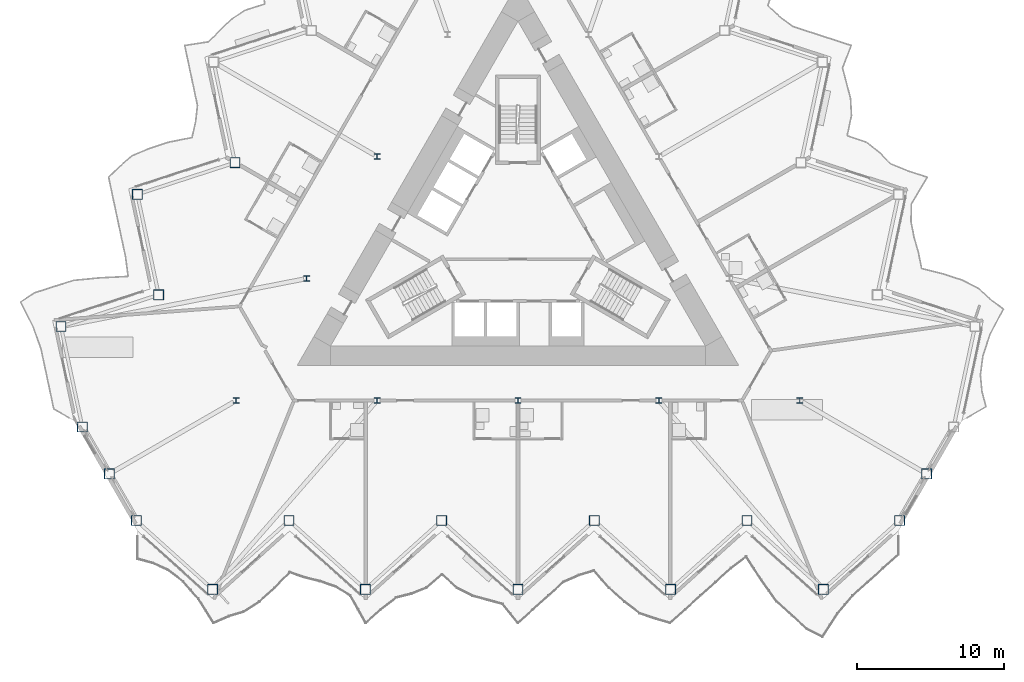
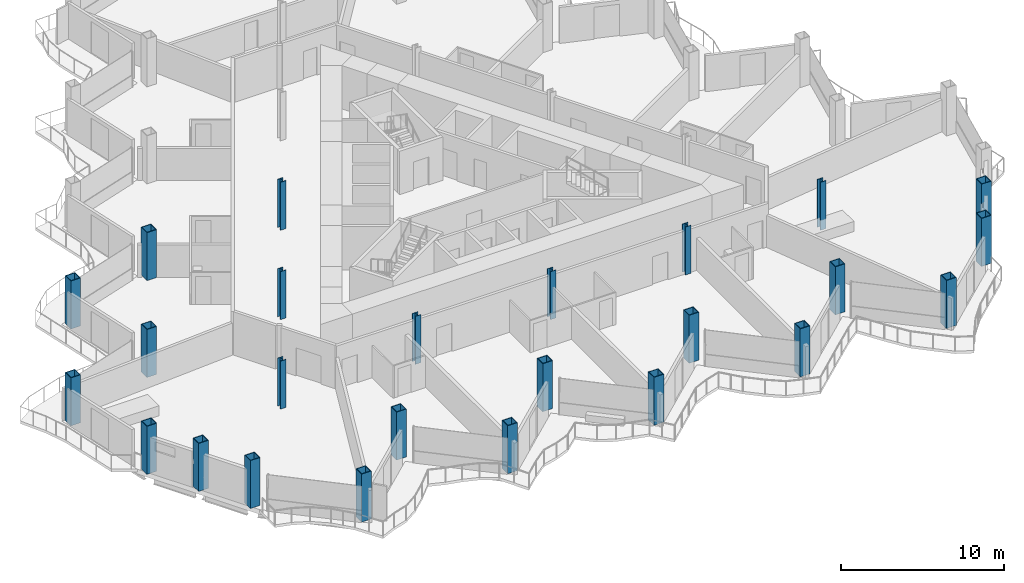
# One storey, part 1 of 24: 25 columns.
"""IFC4 building model written with IfcOpenShell, lengths in metres."""

from ifc_helpers import new_model, si_unit, direction, frame, origin, origin_2d, place, context, subcontext, project, spatial, hollow_rectangle, i_section, extrude, material, material_profile, profile_set, type_object, element, save


model = new_model("IFC4")

# Units and contexts
model_context = context("Model", 3, precision=1e-05, world=origin(), true_north=direction((0.0, 1.0)))
body_context = subcontext(model_context, "Body", "Model", "MODEL_VIEW")
ifc_project = project(units=[si_unit("LENGTHUNIT", "METRE"), si_unit("AREAUNIT", "SQUARE_METRE"), si_unit("VOLUMEUNIT", "CUBIC_METRE"), si_unit("PLANEANGLEUNIT", "RADIAN"), si_unit("MASSUNIT", "GRAM", prefix="KILO")], contexts=[model_context])

# Site, building, storey
site_placement = place(None, origin())
site = spatial("IfcSite", under=ifc_project, at=site_placement, CompositionType="ELEMENT")
building_placement = place(site_placement, origin())
building = spatial("IfcBuilding", under=site, at=building_placement, Name="Cormorant Prow Tower", CompositionType="ELEMENT")
storey_placement = place(building_placement, frame((0.0, 0.0, 238.199951171875)))
storey = spatial("IfcBuildingStorey", under=building, at=storey_placement, Name="L52", CompositionType="ELEMENT", Elevation=238.199951171875)

# Columns
ifc_material_1 = material(Name="Structural steel ASTM A572 Gr 50", Category="steel")
ifc_material_profile_1 = material_profile(ifc_material_1, hollow_rectangle(XDim=0.699951171875, YDim=0.699951171875, WallThickness=0.044921875, at=origin_2d()), Name="Box 700x700x45")
ifc_profile_set_1 = profile_set([ifc_material_profile_1], Name="Structural steel ASTM A572 Gr 50")
column_type_1 = type_object("IfcColumnType", Name="Perimeter box column 700x700x45", PredefinedType="COLUMN", material=ifc_profile_set_1)
for number, where, z_axis, x_axis, name in (
    (1, (-25.941162109375, -19.21533203125, 0.0), (0.0, 0.0, 1.0), (1.0, 0.0, 0.0), "Perimeter column C5 at S00 L52"),
    (2, (-20.7529296875, -23.886962890625, 0.0), (0.0, 0.0, 1.0), (1.0, 0.0, 0.0), "Perimeter column C5 at S01 L52"),
    (3, (-15.564697265625, -19.21533203125, 0.0), (0.0, 0.0, 1.0), (1.0, 0.0, 0.0), "Perimeter column C5 at S02 L52"),
    (4, (-10.37646484375, -23.886962890625, 0.0), (0.0, 0.0, 1.0), (1.0, 0.0, 0.0), "Perimeter column C5 at S03 L52"),
    (5, (-5.188232421875, -19.21533203125, 0.0), (0.0, 0.0, 1.0), (1.0, 0.0, 0.0), "Perimeter column C5 at S04 L52"),
    (6, (0.0, -23.886962890625, 0.0), (0.0, 0.0, 1.0), (1.0, 0.0, 0.0), "Perimeter column C5 at S05 L52"),
    (7, (5.188232421875, -19.21533203125, 0.0), (0.0, 0.0, 1.0), (1.0, 0.0, 0.0), "Perimeter column C5 at S06 L52"),
    (8, (10.37646484375, -23.886962890625, 0.0), (0.0, 0.0, 1.0), (1.0, 0.0, 0.0), "Perimeter column C5 at S07 L52"),
    (9, (15.564697265625, -19.21533203125, 0.0), (0.0, 0.0, 1.0), (1.0, 0.0, 0.0), "Perimeter column C5 at S08 L52"),
    (10, (20.7529296875, -23.886962890625, 0.0), (0.0, 0.0, 1.0), (1.0, 0.0, 0.0), "Perimeter column C5 at S09 L52"),
    (11, (25.941162109375, -19.21533203125, 0.0), (0.0, 0.0, 1.0), (1.0, 0.0, 0.0), "Perimeter column C5 at ESE00 L52"),
    (12, (27.7763671875, -16.03662109375, 0.0), (0.0, 0.0, 1.0), (1.0, 0.0, 0.0), "Perimeter column C5 at ESE01 L52"),
    (13, (-19.235107421875, 5.114501953125, 0.0), (0.0, 0.0, 1.0), (1.0, 0.0, 0.0), "Perimeter column C5 at WNW06 L52"),
    (14, (-25.875, 2.957275390625, 0.0), (0.0, 0.0, 1.0), (1.0, 0.0, 0.0), "Perimeter column C5 at WNW07 L52"),
    (15, (-24.42333984375, -3.871826171875, 0.0), (0.0, 0.0, 1.0), (1.0, 0.0, 0.0), "Perimeter column C5 at WNW08 L52"),
    (16, (-31.063232421875, -6.029052734375, 0.0), (0.0, 0.0, 1.0), (1.0, 0.0, 0.0), "Perimeter column C5 at WNW09 L52"),
    (17, (-29.611572265625, -12.858154296875, 0.0), (0.0, 0.0, 1.0), (1.0, 0.0, 0.0), "Perimeter column C5 at WSW00 L52"),
    (18, (-27.7763671875, -16.03662109375, 0.0), (0.0, 0.0, 1.0), (1.0, 0.0, 0.0), "Perimeter column C5 at WSW01 L52"),
):
    element("IfcColumn", number, at=place(storey_placement, frame(where, z_axis=z_axis, x_axis=x_axis)), inside=storey, type_object=column_type_1, Name=name, PredefinedType="COLUMN", context=body_context, shape_type="SweptSolid", body=[
        extrude(hollow_rectangle(XDim=0.699951171875, YDim=0.699951171875, WallThickness=0.044921875, at=origin_2d()), origin(), (0.0, 0.0, 1.0), 3.60009765625),
    ])
ifc_material_2 = material(Name="Structural steel ASTM A992 Gr 50", Category="steel")
ifc_material_profile_2 = material_profile(ifc_material_2, i_section(OverallWidth=0.39892578125, OverallDepth=0.393310546875, WebThickness=0.022705078125, FlangeThickness=0.03662109375, at=origin_2d()), Name="W14x193")
ifc_profile_set_2 = profile_set([ifc_material_profile_2], Name="Structural steel ASTM A992 Gr 50")
column_type_2 = type_object("IfcColumnType", Name="Ring column W14x193", PredefinedType="COLUMN", material=ifc_profile_set_2)
for number, where, z_axis, x_axis, name in (
    (19, (-9.578369140625, 5.530029296875, 0.0), (0.0, 0.0, 1.0), (1.0, 0.0, 0.0), "Ring column 3 L52"),
    (20, (-14.36767578125, -2.76513671875, 0.0), (0.0, 0.0, 1.0), (1.0, 0.0, 0.0), "Ring column 4 L52"),
    (21, (-19.156982421875, -11.060302734375, 0.0), (0.0, 0.0, 1.0), (1.0, 0.0, 0.0), "Ring column 5 L52"),
    (22, (-9.578369140625, -11.060302734375, 0.0), (0.0, 0.0, 1.0), (1.0, 0.0, 0.0), "Ring column 6 L52"),
    (23, (0.0, -11.060302734375, 0.0), (0.0, 0.0, 1.0), (1.0, 0.0, 0.0), "Ring column 7 L52"),
    (24, (9.578369140625, -11.060302734375, 0.0), (0.0, 0.0, 1.0), (1.0, 0.0, 0.0), "Ring column 8 L52"),
    (25, (19.156982421875, -11.060302734375, 0.0), (0.0, 0.0, 1.0), (1.0, 0.0, 0.0), "Ring column 9 L52"),
):
    element("IfcColumn", number, at=place(storey_placement, frame(where, z_axis=z_axis, x_axis=x_axis)), inside=storey, type_object=column_type_2, Name=name, PredefinedType="COLUMN", context=body_context, shape_type="SweptSolid", body=[
        extrude(i_section(OverallWidth=0.39892578125, OverallDepth=0.393310546875, WebThickness=0.022705078125, FlangeThickness=0.03662109375, at=origin_2d()), origin(), (0.0, 0.0, 1.0), 3.60009765625),
    ])

save(model, "model.ifc")
